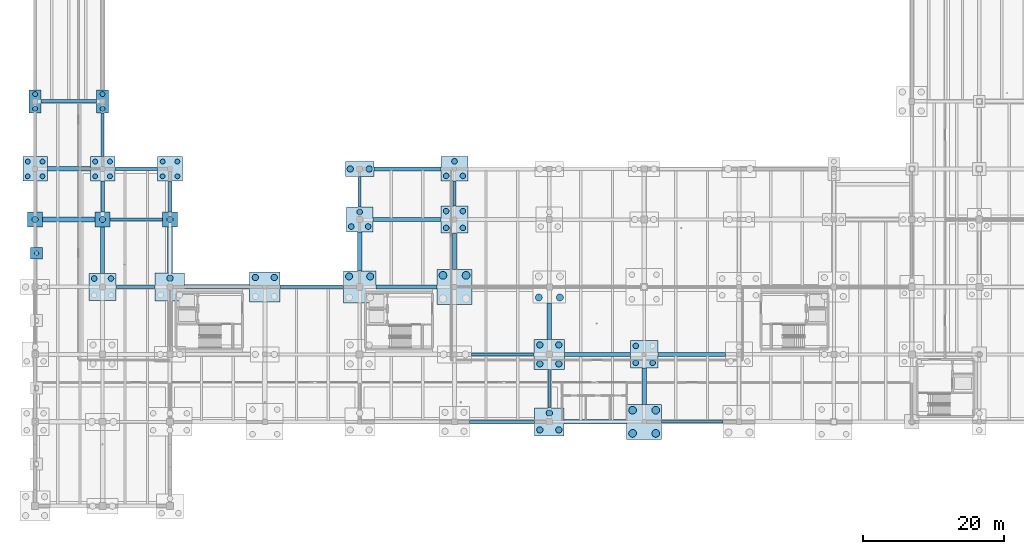
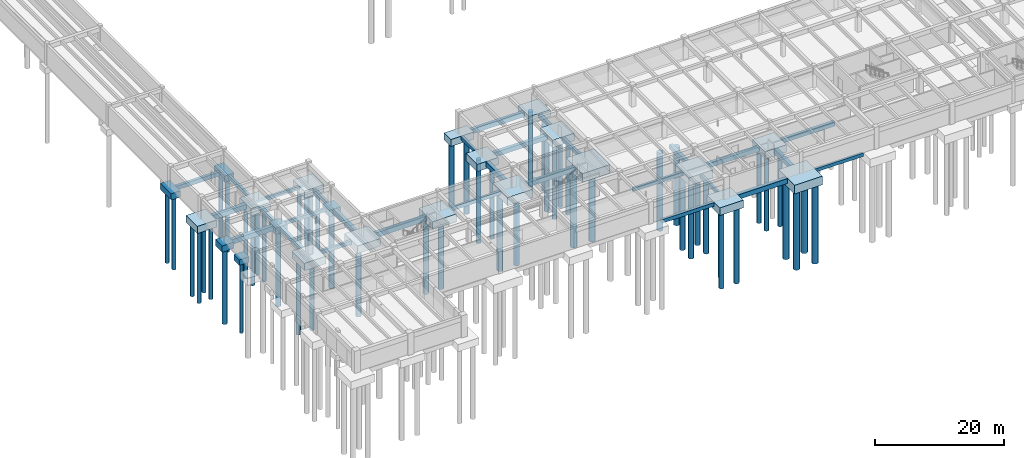
# One storey, part 2 of 41: 57 piles, 51 footings.
"""IFC4 building model written with IfcOpenShell, lengths in metres."""

from ifc_helpers import new_model, si_unit, direction, frame, origin, origin_2d, place, context, subcontext, project, spatial, rectangle, circle, extrude, material, material_profile, profile_set, type_object, element, save


model = new_model("IFC4")

# Units and contexts
model_context = context("Model", 3, precision=1e-05, world=origin(), true_north=direction((0.0, 1.0)))
body_context = subcontext(model_context, "Body", "Model", "MODEL_VIEW")
ifc_project = project(units=[si_unit("LENGTHUNIT", "METRE"), si_unit("AREAUNIT", "SQUARE_METRE"), si_unit("VOLUMEUNIT", "CUBIC_METRE"), si_unit("PLANEANGLEUNIT", "RADIAN"), si_unit("MASSUNIT", "GRAM", prefix="KILO")], contexts=[model_context])

# Site, building, storey
site_placement = place(None, origin())
site = spatial("IfcSite", under=ifc_project, at=site_placement, CompositionType="ELEMENT")
building_placement = place(site_placement, origin())
building = spatial("IfcBuilding", under=site, at=building_placement, Name="Fikremerkos Civic Library", CompositionType="ELEMENT")
storey_placement = place(building_placement, frame((0.0, 0.0, -8.39990234375)))
storey = spatial("IfcBuildingStorey", under=building, at=storey_placement, Name="B02", CompositionType="ELEMENT", Elevation=-8.39990234375)

# Piles
ifc_material_1 = material(Name="Concrete C35/45", Category="concrete")
ifc_material_profile_1 = material_profile(ifc_material_1, circle(Radius=0.5, at=origin_2d()), Name="BORED PILE 1000")
ifc_profile_set_1 = profile_set([ifc_material_profile_1], Name="Concrete C35/45")
pile_type_1 = type_object("IfcPileType", Name="Bored concrete pile PL-1000 D1000", PredefinedType="BORED", material=ifc_profile_set_1)
for number, where, z_axis, x_axis, name in (
    (1, (44.699951171875, 32.699951171875, -1.4501953125), (0.0, 0.0, -1.0), (1.0, 0.0, 0.0), "Bored pile PL-1000 under CAP-5-G #3"),
    (2, (47.699951171875, 32.699951171875, -1.4501953125), (0.0, 0.0, -1.0), (1.0, 0.0, 0.0), "Bored pile PL-1000 under CAP-5-G #4"),
    (3, (71.699951171875, 29.699951171875, -1.4501953125), (0.0, 0.0, -1.0), (1.0, 0.0, 0.0), "Bored pile PL-1000 under CAP-7-G #1"),
    (4, (74.699951171875, 29.699951171875, -1.4501953125), (0.0, 0.0, -1.0), (1.0, 0.0, 0.0), "Bored pile PL-1000 under CAP-7-G #2"),
):
    element("IfcPile", number, at=place(storey_placement, frame(where, z_axis=z_axis, x_axis=x_axis)), inside=storey, type_object=pile_type_1, Name=name, PredefinedType="BORED", context=body_context, shape_type="SweptSolid", body=[
        extrude(circle(Radius=0.5, at=origin_2d()), origin(), (0.0, 0.0, 1.0), 14.800048828125),
    ])
ifc_material_profile_2 = material_profile(ifc_material_1, circle(Radius=0.550048828125, at=origin_2d()), Name="BORED PILE 1100")
ifc_profile_set_2 = profile_set([ifc_material_profile_2], Name="Concrete C35/45")
pile_type_2 = type_object("IfcPileType", Name="Bored concrete pile PL-1100 D1100", PredefinedType="BORED", material=ifc_profile_set_2)
for number, where, z_axis, x_axis, name in (
    (5, (58.050048828125, 32.85009765625, -1.550048828125), (0.0, 0.0, -1.0), (1.0, 0.0, 0.0), "Bored pile PL-1100 under CAP-6-G #3"),
    (6, (61.35009765625, 32.85009765625, -1.550048828125), (0.0, 0.0, -1.0), (1.0, 0.0, 0.0), "Bored pile PL-1100 under CAP-6-G #4"),
    (7, (85.050048828125, 10.35009765625, -1.550048828125), (0.0, 0.0, -1.0), (1.0, 0.0, 0.0), "Bored pile PL-1100 under CAP-8-E #1"),
    (8, (88.35009765625, 10.35009765625, -1.550048828125), (0.0, 0.0, -1.0), (1.0, 0.0, 0.0), "Bored pile PL-1100 under CAP-8-E #2"),
    (9, (85.050048828125, 13.64990234375, -1.550048828125), (0.0, 0.0, -1.0), (1.0, 0.0, 0.0), "Bored pile PL-1100 under CAP-8-E #3"),
    (10, (88.35009765625, 13.64990234375, -1.550048828125), (0.0, 0.0, -1.0), (1.0, 0.0, 0.0), "Bored pile PL-1100 under CAP-8-E #4"),
):
    element("IfcPile", number, at=place(storey_placement, frame(where, z_axis=z_axis, x_axis=x_axis)), inside=storey, type_object=pile_type_2, Name=name, PredefinedType="BORED", context=body_context, shape_type="SweptSolid", body=[
        extrude(circle(Radius=0.550048828125, at=origin_2d()), origin(), (0.0, 0.0, 1.0), 15.0),
    ])
ifc_material_profile_3 = material_profile(ifc_material_1, circle(Radius=0.300048828125, at=origin_2d()), Name="BORED PILE 600")
ifc_profile_set_3 = profile_set([ifc_material_profile_3], Name="Concrete C35/45")
pile_type_3 = type_object("IfcPileType", Name="Bored concrete pile PL-600 D600", PredefinedType="BORED", material=ifc_profile_set_3)
pile_placement = place(storey_placement, frame((0.219970703125, 36.0, -0.9501953125), z_axis=(0.0, 0.0, -1.0), x_axis=(1.0, 0.0, 0.0)))
element("IfcPile", 11, at=pile_placement, inside=storey, type_object=pile_type_3, Name="Bored pile PL-600 under CAP-PIL-W4", PredefinedType="BORED", context=body_context, shape_type="SweptSolid", body=[
    extrude(circle(Radius=0.300048828125, at=origin_2d()), origin(), (0.0, 0.0, 1.0), 13.60009765625),
])
ifc_material_profile_4 = material_profile(ifc_material_1, circle(Radius=0.35009765625, at=origin_2d()), Name="BORED PILE 700")
ifc_profile_set_4 = profile_set([ifc_material_profile_4], Name="Concrete C35/45")
pile_type_4 = type_object("IfcPileType", Name="Bored concrete pile PL-700 D700", PredefinedType="BORED", material=ifc_profile_set_4)
for number, where, z_axis, x_axis, name in (
    (12, (-1.050048828125, 46.949951171875, -1.25), (0.0, 0.0, -1.0), (1.0, 0.0, 0.0), "Bored pile PL-700 under CAP-1-J #1"),
    (13, (1.050048828125, 46.949951171875, -1.25), (0.0, 0.0, -1.0), (1.0, 0.0, 0.0), "Bored pile PL-700 under CAP-1-J #2"),
    (14, (-1.050048828125, 49.050048828125, -1.25), (0.0, 0.0, -1.0), (1.0, 0.0, 0.0), "Bored pile PL-700 under CAP-1-J #3"),
    (15, (1.050048828125, 49.050048828125, -1.25), (0.0, 0.0, -1.0), (1.0, 0.0, 0.0), "Bored pile PL-700 under CAP-1-J #4"),
    (16, (0.0, 56.550048828125, -1.10009765625), (0.0, 0.0, -1.0), (1.0, 0.0, 0.0), "Bored pile PL-700 under CAP-1-K #1"),
    (17, (0.0, 58.64990234375, -1.10009765625), (0.0, 0.0, -1.0), (1.0, 0.0, 0.0), "Bored pile PL-700 under CAP-1-K #2"),
    (18, (8.550048828125, 46.949951171875, -1.25), (0.0, 0.0, -1.0), (1.0, 0.0, 0.0), "Bored pile PL-700 under CAP-2-J #1"),
    (19, (10.64990234375, 46.949951171875, -1.25), (0.0, 0.0, -1.0), (1.0, 0.0, 0.0), "Bored pile PL-700 under CAP-2-J #2"),
    (20, (8.550048828125, 49.050048828125, -1.25), (0.0, 0.0, -1.0), (1.0, 0.0, 0.0), "Bored pile PL-700 under CAP-2-J #3"),
    (21, (10.64990234375, 49.050048828125, -1.25), (0.0, 0.0, -1.0), (1.0, 0.0, 0.0), "Bored pile PL-700 under CAP-2-J #4"),
    (22, (9.60009765625, 56.550048828125, -1.10009765625), (0.0, 0.0, -1.0), (1.0, 0.0, 0.0), "Bored pile PL-700 under CAP-2-K #1"),
    (23, (9.60009765625, 58.64990234375, -1.10009765625), (0.0, 0.0, -1.0), (1.0, 0.0, 0.0), "Bored pile PL-700 under CAP-2-K #2"),
    (24, (18.14990234375, 46.949951171875, -1.25), (0.0, 0.0, -1.0), (1.0, 0.0, 0.0), "Bored pile PL-700 under CAP-3-J #1"),
    (25, (20.25, 46.949951171875, -1.25), (0.0, 0.0, -1.0), (1.0, 0.0, 0.0), "Bored pile PL-700 under CAP-3-J #2"),
    (26, (18.14990234375, 49.050048828125, -1.25), (0.0, 0.0, -1.0), (1.0, 0.0, 0.0), "Bored pile PL-700 under CAP-3-J #3"),
    (27, (20.25, 49.050048828125, -1.25), (0.0, 0.0, -1.0), (1.0, 0.0, 0.0), "Bored pile PL-700 under CAP-3-J #4"),
):
    element("IfcPile", number, at=place(storey_placement, frame(where, z_axis=z_axis, x_axis=x_axis)), inside=storey, type_object=pile_type_4, Name=name, PredefinedType="BORED", context=body_context, shape_type="SweptSolid", body=[
        extrude(circle(Radius=0.35009765625, at=origin_2d()), origin(), (0.0, 0.0, 1.0), 13.800048828125),
    ])
ifc_material_profile_5 = material_profile(ifc_material_1, circle(Radius=0.39990234375, at=origin_2d()), Name="BORED PILE 800")
ifc_profile_set_5 = profile_set([ifc_material_profile_5], Name="Concrete C35/45")
pile_type_5 = type_object("IfcPileType", Name="Bored concrete pile PL-800 D800", PredefinedType="BORED", material=ifc_profile_set_5)
for number, where, z_axis, x_axis, name in (
    (28, (8.39990234375, 32.39990234375, -1.300048828125), (0.0, 0.0, -1.0), (1.0, 0.0, 0.0), "Bored pile PL-800 under CAP-2-G #3"),
    (29, (10.800048828125, 32.39990234375, -1.300048828125), (0.0, 0.0, -1.0), (1.0, 0.0, 0.0), "Bored pile PL-800 under CAP-2-G #4"),
    (30, (45.0, 39.800048828125, -1.25), (0.0, 0.0, -1.0), (1.0, 0.0, 0.0), "Bored pile PL-800 under CAP-5-H #1"),
    (31, (47.39990234375, 39.800048828125, -1.25), (0.0, 0.0, -1.0), (1.0, 0.0, 0.0), "Bored pile PL-800 under CAP-5-H #2"),
    (32, (46.199951171875, 41.8798828125, -1.25), (0.0, 0.0, -1.0), (1.0, 0.0, 0.0), "Bored pile PL-800 under CAP-5-H #3"),
    (33, (58.5, 39.60009765625, -1.300048828125), (0.0, 0.0, -1.0), (1.0, 0.0, 0.0), "Bored pile PL-800 under CAP-6-H #1"),
    (34, (60.89990234375, 39.60009765625, -1.300048828125), (0.0, 0.0, -1.0), (1.0, 0.0, 0.0), "Bored pile PL-800 under CAP-6-H #2"),
    (35, (58.5, 42.0, -1.300048828125), (0.0, 0.0, -1.0), (1.0, 0.0, 0.0), "Bored pile PL-800 under CAP-6-H #3"),
    (36, (60.89990234375, 42.0, -1.300048828125), (0.0, 0.0, -1.0), (1.0, 0.0, 0.0), "Bored pile PL-800 under CAP-6-H #4"),
    (37, (58.5, 47.0, -1.25), (0.0, 0.0, -1.0), (1.0, 0.0, 0.0), "Bored pile PL-800 under CAP-6-J #1"),
    (38, (60.89990234375, 47.0, -1.25), (0.0, 0.0, -1.0), (1.0, 0.0, 0.0), "Bored pile PL-800 under CAP-6-J #2"),
    (39, (59.699951171875, 49.080078125, -1.25), (0.0, 0.0, -1.0), (1.0, 0.0, 0.0), "Bored pile PL-800 under CAP-6-J #3"),
    (40, (85.5, 20.39990234375, -1.300048828125), (0.0, 0.0, -1.0), (1.0, 0.0, 0.0), "Bored pile PL-800 under CAP-8-F #1"),
    (41, (87.89990234375, 20.39990234375, -1.300048828125), (0.0, 0.0, -1.0), (1.0, 0.0, 0.0), "Bored pile PL-800 under CAP-8-F #2"),
    (42, (85.5, 22.800048828125, -1.300048828125), (0.0, 0.0, -1.0), (1.0, 0.0, 0.0), "Bored pile PL-800 under CAP-8-F #3"),
):
    element("IfcPile", number, at=place(storey_placement, frame(where, z_axis=z_axis, x_axis=x_axis)), inside=storey, type_object=pile_type_5, Name=name, PredefinedType="BORED", context=body_context, shape_type="SweptSolid", body=[
        extrude(circle(Radius=0.39990234375, at=origin_2d()), origin(), (0.0, 0.0, 1.0), 14.199951171875),
    ])
ifc_material_profile_6 = material_profile(ifc_material_1, circle(Radius=0.449951171875, at=origin_2d()), Name="BORED PILE 900")
ifc_profile_set_6 = profile_set([ifc_material_profile_6], Name="Concrete C35/45")
pile_type_6 = type_object("IfcPileType", Name="Bored concrete pile PL-900 D900", PredefinedType="BORED", material=ifc_profile_set_6)
for number, where, z_axis, x_axis, name in (
    (43, (0.0, 40.800048828125, -1.10009765625), (0.0, 0.0, -1.0), (1.0, 0.0, 0.0), "Bored pile PL-900 under CAP-1-H #1"),
    (44, (9.60009765625, 40.800048828125, -1.10009765625), (0.0, 0.0, -1.0), (1.0, 0.0, 0.0), "Bored pile PL-900 under CAP-2-H #1"),
    (45, (19.199951171875, 32.449951171875, -1.35009765625), (0.0, 0.0, -1.0), (1.0, 0.0, 0.0), "Bored pile PL-900 under CAP-3-G #3"),
    (46, (19.199951171875, 40.800048828125, -1.10009765625), (0.0, 0.0, -1.0), (1.0, 0.0, 0.0), "Bored pile PL-900 under CAP-3-H #1"),
    (47, (31.35009765625, 32.550048828125, -1.400146484375), (0.0, 0.0, -1.0), (1.0, 0.0, 0.0), "Bored pile PL-900 under CAP-4-G #3"),
    (48, (34.050048828125, 32.550048828125, -1.400146484375), (0.0, 0.0, -1.0), (1.0, 0.0, 0.0), "Bored pile PL-900 under CAP-4-G #4"),
    (49, (44.85009765625, 48.0, -1.25), (0.0, 0.0, -1.0), (1.0, 0.0, 0.0), "Bored pile PL-900 under CAP-5-J #1"),
    (50, (47.550048828125, 48.0, -1.25), (0.0, 0.0, -1.0), (1.0, 0.0, 0.0), "Bored pile PL-900 under CAP-5-J #2"),
    (51, (71.85009765625, 10.85009765625, -1.35009765625), (0.0, 0.0, -1.0), (1.0, 0.0, 0.0), "Bored pile PL-900 under CAP-7-E #1"),
    (52, (74.550048828125, 10.85009765625, -1.35009765625), (0.0, 0.0, -1.0), (1.0, 0.0, 0.0), "Bored pile PL-900 under CAP-7-E #2"),
    (53, (73.199951171875, 13.25, -1.35009765625), (0.0, 0.0, -1.0), (1.0, 0.0, 0.0), "Bored pile PL-900 under CAP-7-E #3"),
    (54, (71.85009765625, 20.25, -1.400146484375), (0.0, 0.0, -1.0), (1.0, 0.0, 0.0), "Bored pile PL-900 under CAP-7-F #1"),
    (55, (74.550048828125, 20.25, -1.400146484375), (0.0, 0.0, -1.0), (1.0, 0.0, 0.0), "Bored pile PL-900 under CAP-7-F #2"),
    (56, (71.85009765625, 22.949951171875, -1.400146484375), (0.0, 0.0, -1.0), (1.0, 0.0, 0.0), "Bored pile PL-900 under CAP-7-F #3"),
    (57, (74.550048828125, 22.949951171875, -1.400146484375), (0.0, 0.0, -1.0), (1.0, 0.0, 0.0), "Bored pile PL-900 under CAP-7-F #4"),
):
    element("IfcPile", number, at=place(storey_placement, frame(where, z_axis=z_axis, x_axis=x_axis)), inside=storey, type_object=pile_type_6, Name=name, PredefinedType="BORED", context=body_context, shape_type="SweptSolid", body=[
        extrude(circle(Radius=0.449951171875, at=origin_2d()), origin(), (0.0, 0.0, 1.0), 14.5),
    ])

# Footings
ifc_material_2 = material(Name="Concrete C40/50", Category="concrete")
footing_type_1 = type_object("IfcFootingType", Name="Bored pile cap PC-04 1700x3300x1200", PredefinedType="PILE_CAP", material=ifc_material_2)
for number, where, z_axis, x_axis, name in (
    (58, (0.0, 57.60009765625, -1.2001953125), (0.0, 0.0, 1.0), (1.0, 0.0, 0.0), "Pile cap PC-04 at 1/K"),
    (59, (9.60009765625, 57.60009765625, -1.2001953125), (0.0, 0.0, 1.0), (1.0, 0.0, 0.0), "Pile cap PC-04 at 2/K"),
):
    element("IfcFooting", number, at=place(storey_placement, frame(where, z_axis=z_axis, x_axis=x_axis)), inside=storey, type_object=footing_type_1, Name=name, PredefinedType="PILE_CAP", context=body_context, shape_type="SweptSolid", body=[
        extrude(rectangle(XDim=1.699951171875, YDim=3.300048828125, at=origin_2d()), origin(), (0.0, 0.0, 1.0), 1.199951171875),
    ])
footing_type_2 = type_object("IfcFootingType", Name="Bored pile cap PC-07 4100x2100x1350", PredefinedType="PILE_CAP", material=ifc_material_2)
footing_1_placement = place(storey_placement, frame((46.199951171875, 48.0, -1.35009765625), z_axis=(0.0, 0.0, 1.0), x_axis=(1.0, 0.0, 0.0)))
element("IfcFooting", 60, at=footing_1_placement, inside=storey, type_object=footing_type_2, Name="Pile cap PC-07 at 5/J", PredefinedType="PILE_CAP", context=body_context, shape_type="SweptSolid", body=[
    extrude(rectangle(XDim=4.10009765625, YDim=2.10009765625, at=origin_2d()), origin(), (0.0, 0.0, 1.0), 1.35009765625),
])
footing_type_3 = type_object("IfcFootingType", Name="Bored pile cap PC-09 3800x3500x1350", PredefinedType="PILE_CAP", material=ifc_material_2)
for number, where, z_axis, x_axis, name in (
    (61, (46.199951171875, 40.800048828125, -1.35009765625), (0.0, 0.0, 1.0), (1.0, 0.0, 0.0), "Pile cap PC-09 at 5/H"),
    (62, (59.699951171875, 48.0, -1.35009765625), (0.0, 0.0, 1.0), (1.0, 0.0, 0.0), "Pile cap PC-09 at 6/J"),
):
    element("IfcFooting", number, at=place(storey_placement, frame(where, z_axis=z_axis, x_axis=x_axis)), inside=storey, type_object=footing_type_3, Name=name, PredefinedType="PILE_CAP", context=body_context, shape_type="SweptSolid", body=[
        extrude(rectangle(XDim=3.800048828125, YDim=3.5, at=origin_2d()), origin(), (0.0, 0.0, 1.0), 1.35009765625),
    ])
footing_type_4 = type_object("IfcFootingType", Name="Bored pile cap PC-10 3500x3500x1350", PredefinedType="PILE_CAP", material=ifc_material_2)
for number, where, z_axis, x_axis, name in (
    (63, (0.0, 48.0, -1.35009765625), (0.0, 0.0, 1.0), (1.0, 0.0, 0.0), "Pile cap PC-10 at 1/J"),
    (64, (9.60009765625, 48.0, -1.35009765625), (0.0, 0.0, 1.0), (1.0, 0.0, 0.0), "Pile cap PC-10 at 2/J"),
    (65, (19.199951171875, 48.0, -1.35009765625), (0.0, 0.0, 1.0), (1.0, 0.0, 0.0), "Pile cap PC-10 at 3/J"),
):
    element("IfcFooting", number, at=place(storey_placement, frame(where, z_axis=z_axis, x_axis=x_axis)), inside=storey, type_object=footing_type_4, Name=name, PredefinedType="PILE_CAP", context=body_context, shape_type="SweptSolid", body=[
        extrude(rectangle(XDim=3.5, YDim=3.5, at=origin_2d()), origin(), (0.0, 0.0, 1.0), 1.35009765625),
    ])
footing_type_5 = type_object("IfcFootingType", Name="Bored pile cap PC-11 3900x3900x1400", PredefinedType="PILE_CAP", material=ifc_material_2)
for number, where, z_axis, x_axis, name in (
    (66, (9.60009765625, 31.199951171875, -1.400146484375), (0.0, 0.0, 1.0), (1.0, 0.0, 0.0), "Pile cap PC-11 at 2/G"),
    (67, (59.699951171875, 40.800048828125, -1.400146484375), (0.0, 0.0, 1.0), (1.0, 0.0, 0.0), "Pile cap PC-11 at 6/H"),
    (68, (86.699951171875, 21.60009765625, -1.400146484375), (0.0, 0.0, 1.0), (1.0, 0.0, 0.0), "Pile cap PC-11 at 8/F"),
):
    element("IfcFooting", number, at=place(storey_placement, frame(where, z_axis=z_axis, x_axis=x_axis)), inside=storey, type_object=footing_type_5, Name=name, PredefinedType="PILE_CAP", context=body_context, shape_type="SweptSolid", body=[
        extrude(rectangle(XDim=3.89990234375, YDim=3.89990234375, at=origin_2d()), origin(), (0.0, 0.0, 1.0), 1.39990234375),
    ])
footing_type_6 = type_object("IfcFootingType", Name="Bored pile cap PC-12 4300x4300x1500", PredefinedType="PILE_CAP", material=ifc_material_2)
for number, where, z_axis, x_axis, name in (
    (69, (32.699951171875, 31.199951171875, -1.5), (0.0, 0.0, 1.0), (1.0, 0.0, 0.0), "Pile cap PC-12 at 4/G"),
    (70, (73.199951171875, 21.60009765625, -1.5), (0.0, 0.0, 1.0), (1.0, 0.0, 0.0), "Pile cap PC-12 at 7/F"),
):
    element("IfcFooting", number, at=place(storey_placement, frame(where, z_axis=z_axis, x_axis=x_axis)), inside=storey, type_object=footing_type_6, Name=name, PredefinedType="PILE_CAP", context=body_context, shape_type="SweptSolid", body=[
        extrude(rectangle(XDim=4.300048828125, YDim=4.300048828125, at=origin_2d()), origin(), (0.0, 0.0, 1.0), 1.5),
    ])
footing_type_7 = type_object("IfcFootingType", Name="Bored pile cap PC-13 4600x4600x1550", PredefinedType="PILE_CAP", material=ifc_material_2)
footing_2_placement = place(storey_placement, frame((46.199951171875, 31.199951171875, -1.55029296875), z_axis=(0.0, 0.0, 1.0), x_axis=(1.0, 0.0, 0.0)))
element("IfcFooting", 71, at=footing_2_placement, inside=storey, type_object=footing_type_7, Name="Pile cap PC-13 at 5/G", PredefinedType="PILE_CAP", context=body_context, shape_type="SweptSolid", body=[
    extrude(rectangle(XDim=4.60009765625, YDim=4.60009765625, at=origin_2d()), origin(), (0.0, 0.0, 1.0), 1.550048828125),
])
footing_type_8 = type_object("IfcFootingType", Name="Bored pile cap PC-14 5000x5000x1650", PredefinedType="PILE_CAP", material=ifc_material_2)
for number, where, z_axis, x_axis, name in (
    (72, (59.699951171875, 31.199951171875, -1.650146484375), (0.0, 0.0, 1.0), (1.0, 0.0, 0.0), "Pile cap PC-14 at 6/G"),
    (73, (86.699951171875, 12.0, -1.650146484375), (0.0, 0.0, 1.0), (1.0, 0.0, 0.0), "Pile cap PC-14 at 8/E"),
):
    element("IfcFooting", number, at=place(storey_placement, frame(where, z_axis=z_axis, x_axis=x_axis)), inside=storey, type_object=footing_type_8, Name=name, PredefinedType="PILE_CAP", context=body_context, shape_type="SweptSolid", body=[
        extrude(rectangle(XDim=5.0, YDim=5.0, at=origin_2d()), origin(), (0.0, 0.0, 1.0), 1.64990234375),
    ])
footing_type_9 = type_object("IfcFootingType", Name="Bored pile cap PC-17 2100x2100x1200", PredefinedType="PILE_CAP", material=ifc_material_2)
for number, where, z_axis, x_axis, name in (
    (74, (0.0, 40.800048828125, -1.2001953125), (0.0, 0.0, 1.0), (1.0, 0.0, 0.0), "Pile cap PC-17 at 1/H"),
    (75, (9.60009765625, 40.800048828125, -1.2001953125), (0.0, 0.0, 1.0), (1.0, 0.0, 0.0), "Pile cap PC-17 at 2/H"),
    (76, (19.199951171875, 40.800048828125, -1.2001953125), (0.0, 0.0, 1.0), (1.0, 0.0, 0.0), "Pile cap PC-17 at 3/H"),
):
    element("IfcFooting", number, at=place(storey_placement, frame(where, z_axis=z_axis, x_axis=x_axis)), inside=storey, type_object=footing_type_9, Name=name, PredefinedType="PILE_CAP", context=body_context, shape_type="SweptSolid", body=[
        extrude(rectangle(XDim=2.10009765625, YDim=2.10009765625, at=origin_2d()), origin(), (0.0, 0.0, 1.0), 1.199951171875),
    ])
footing_type_10 = type_object("IfcFootingType", Name="Bored pile cap PC-20 4200x4000x1450", PredefinedType="PILE_CAP", material=ifc_material_2)
for number, where, z_axis, x_axis, name in (
    (77, (19.199951171875, 31.199951171875, -1.4501953125), (0.0, 0.0, 1.0), (1.0, 0.0, 0.0), "Pile cap PC-20 at 3/G"),
    (78, (73.199951171875, 12.0, -1.4501953125), (0.0, 0.0, 1.0), (1.0, 0.0, 0.0), "Pile cap PC-20 at 7/E"),
):
    element("IfcFooting", number, at=place(storey_placement, frame(where, z_axis=z_axis, x_axis=x_axis)), inside=storey, type_object=footing_type_10, Name=name, PredefinedType="PILE_CAP", context=body_context, shape_type="SweptSolid", body=[
        extrude(rectangle(XDim=4.199951171875, YDim=4.0, at=origin_2d()), origin(), (0.0, 0.0, 1.0), 1.449951171875),
    ])
footing_type_11 = type_object("IfcFootingType", Name="Bored pile cap PC-21 1700x1700x1050", PredefinedType="PILE_CAP", material=ifc_material_2)
footing_3_placement = place(storey_placement, frame((0.219970703125, 36.0, -1.05029296875), z_axis=(0.0, 0.0, 1.0), x_axis=(1.0, 0.0, 0.0)))
element("IfcFooting", 79, at=footing_3_placement, inside=storey, type_object=footing_type_11, Name="Pilaster pile cap PC-21 at W4", PredefinedType="PILE_CAP", context=body_context, shape_type="SweptSolid", body=[
    extrude(rectangle(XDim=1.699951171875, YDim=1.699951171875, at=origin_2d()), origin(), (0.0, 0.0, 1.0), 1.050048828125),
])
footing_type_12 = type_object("IfcFootingType", Name="Foundation tie beam FTB-01 600x850", PredefinedType="FOOTING_BEAM", material=ifc_material_2)
footing_4_placement = place(storey_placement, frame((80.050048828125, 21.60009765625, -0.900146484375), z_axis=(0.0, 0.0, 1.0), x_axis=(1.0, 0.0, 0.0)))
element("IfcFooting", 80, at=footing_4_placement, inside=storey, type_object=footing_type_12, Name="Foundation tie beam FTB-01 on grid F", PredefinedType="FOOTING_BEAM", context=body_context, shape_type="SweptSolid", body=[
    extrude(rectangle(XDim=9.39990234375, YDim=0.60009765625, at=origin_2d()), origin(), (0.0, 0.0, 1.0), 0.85009765625),
])
footing_5_placement = place(storey_placement, frame((52.85009765625, 31.199951171875, -0.900146484375), z_axis=(0.0, 0.0, 1.0), x_axis=(1.0, 0.0, 0.0)))
element("IfcFooting", 81, at=footing_5_placement, inside=storey, type_object=footing_type_12, Name="Foundation tie beam FTB-01 on grid G", PredefinedType="FOOTING_BEAM", context=body_context, shape_type="SweptSolid", body=[
    extrude(rectangle(XDim=8.699951171875, YDim=0.60009765625, at=origin_2d()), origin(), (0.0, 0.0, 1.0), 0.85009765625),
])
footing_6_placement = place(storey_placement, frame((52.925048828125, 40.800048828125, -0.900146484375), z_axis=(0.0, 0.0, 1.0), x_axis=(1.0, 0.0, 0.0)))
element("IfcFooting", 82, at=footing_6_placement, inside=storey, type_object=footing_type_12, Name="Foundation tie beam FTB-01 on grid H", PredefinedType="FOOTING_BEAM", context=body_context, shape_type="SweptSolid", body=[
    extrude(rectangle(XDim=9.64990234375, YDim=0.60009765625, at=origin_2d()), origin(), (0.0, 0.0, 1.0), 0.85009765625),
])
footing_7_placement = place(storey_placement, frame((53.02490234375, 48.0, -0.900146484375), z_axis=(0.0, 0.0, 1.0), x_axis=(1.0, 0.0, 0.0)))
element("IfcFooting", 83, at=footing_7_placement, inside=storey, type_object=footing_type_12, Name="Foundation tie beam FTB-01 on grid J", PredefinedType="FOOTING_BEAM", context=body_context, shape_type="SweptSolid", body=[
    extrude(rectangle(XDim=9.550048828125, YDim=0.60009765625, at=origin_2d()), origin(), (0.0, 0.0, 1.0), 0.85009765625),
])
footing_8_placement = place(storey_placement, frame((73.199951171875, 26.324951171875, -0.900146484375), z_axis=(0.0, 0.0, 1.0), x_axis=(0.0, 1.0, 0.0)))
element("IfcFooting", 84, at=footing_8_placement, inside=storey, type_object=footing_type_12, Name="Foundation tie beam FTB-01 on grid 7", PredefinedType="FOOTING_BEAM", context=body_context, shape_type="SweptSolid", body=[
    extrude(rectangle(XDim=5.14990234375, YDim=0.60009765625, at=origin_2d()), origin(), (0.0, 0.0, 1.0), 0.85009765625),
])
footing_type_13 = type_object("IfcFootingType", Name="Foundation tie beam FTB-02 550x800", PredefinedType="FOOTING_BEAM", material=ifc_material_2)
footing_9_placement = place(storey_placement, frame((93.47509765625, 21.60009765625, -0.85009765625), z_axis=(0.0, 0.0, 1.0), x_axis=(1.0, 0.0, 0.0)))
element("IfcFooting", 85, at=footing_9_placement, inside=storey, type_object=footing_type_13, Name="Foundation tie beam FTB-02 on grid F", PredefinedType="FOOTING_BEAM", context=body_context, shape_type="SweptSolid", body=[
    extrude(rectangle(XDim=9.64990234375, YDim=0.550048828125, at=origin_2d()), origin(), (0.0, 0.0, 1.0), 0.800048828125),
])
footing_10_placement = place(storey_placement, frame((9.60009765625, 36.449951171875, -0.85009765625), z_axis=(0.0, 0.0, 1.0), x_axis=(0.0, 1.0, 0.0)))
element("IfcFooting", 86, at=footing_10_placement, inside=storey, type_object=footing_type_13, Name="Foundation tie beam FTB-02 on grid 2", PredefinedType="FOOTING_BEAM", context=body_context, shape_type="SweptSolid", body=[
    extrude(rectangle(XDim=6.60009765625, YDim=0.550048828125, at=origin_2d()), origin(), (0.0, 0.0, 1.0), 0.800048828125),
])
footing_type_14 = type_object("IfcFootingType", Name="Foundation tie beam FTB-03 500x750", PredefinedType="FOOTING_BEAM", material=ifc_material_2)
footing_11_placement = place(storey_placement, frame((4.800048828125, 57.60009765625, -0.800048828125), z_axis=(0.0, 0.0, 1.0), x_axis=(1.0, 0.0, 0.0)))
element("IfcFooting", 87, at=footing_11_placement, inside=storey, type_object=footing_type_14, Name="Foundation tie beam FTB-03 on grid K", PredefinedType="FOOTING_BEAM", context=body_context, shape_type="SweptSolid", body=[
    extrude(rectangle(XDim=7.89990234375, YDim=0.5, at=origin_2d()), origin(), (0.0, 0.0, 1.0), 0.75),
])
footing_12_placement = place(storey_placement, frame((9.60009765625, 44.050048828125, -0.800048828125), z_axis=(0.0, 0.0, 1.0), x_axis=(0.0, 1.0, 0.0)))
element("IfcFooting", 88, at=footing_12_placement, inside=storey, type_object=footing_type_14, Name="Foundation tie beam FTB-03 on grid 2", PredefinedType="FOOTING_BEAM", context=body_context, shape_type="SweptSolid", body=[
    extrude(rectangle(XDim=4.39990234375, YDim=0.5, at=origin_2d()), origin(), (0.0, 0.0, 1.0), 0.75),
])
footing_13_placement = place(storey_placement, frame((59.699951171875, 36.27490234375, -0.800048828125), z_axis=(0.0, 0.0, 1.0), x_axis=(0.0, 1.0, 0.0)))
element("IfcFooting", 89, at=footing_13_placement, inside=storey, type_object=footing_type_14, Name="Foundation tie beam FTB-03 on grid 6", PredefinedType="FOOTING_BEAM", context=body_context, shape_type="SweptSolid", body=[
    extrude(rectangle(XDim=5.14990234375, YDim=0.5, at=origin_2d()), origin(), (0.0, 0.0, 1.0), 0.75),
])
footing_type_15 = type_object("IfcFootingType", Name="Foundation tie beam FTB-04 450x700", PredefinedType="FOOTING_BEAM", material=ifc_material_2)
footing_14_placement = place(storey_placement, frame((66.47509765625, 12.0, -0.75), z_axis=(0.0, 0.0, 1.0), x_axis=(1.0, 0.0, 0.0)))
element("IfcFooting", 90, at=footing_14_placement, inside=storey, type_object=footing_type_15, Name="Foundation tie beam FTB-04 on grid E", PredefinedType="FOOTING_BEAM", context=body_context, shape_type="SweptSolid", body=[
    extrude(rectangle(XDim=9.25, YDim=0.449951171875, at=origin_2d()), origin(), (0.0, 0.0, 1.0), 0.699951171875),
])
footing_15_placement = place(storey_placement, frame((14.324951171875, 31.199951171875, -0.75), z_axis=(0.0, 0.0, 1.0), x_axis=(1.0, 0.0, 0.0)))
element("IfcFooting", 91, at=footing_15_placement, inside=storey, type_object=footing_type_15, Name="Foundation tie beam FTB-04 on grid G", PredefinedType="FOOTING_BEAM", context=body_context, shape_type="SweptSolid", body=[
    extrude(rectangle(XDim=5.550048828125, YDim=0.449951171875, at=origin_2d()), origin(), (0.0, 0.0, 1.0), 0.699951171875),
])
footing_16_placement = place(storey_placement, frame((9.60009765625, 52.85009765625, -0.75), z_axis=(0.0, 0.0, 1.0), x_axis=(0.0, 1.0, 0.0)))
element("IfcFooting", 92, at=footing_16_placement, inside=storey, type_object=footing_type_15, Name="Foundation tie beam FTB-04 on grid 2", PredefinedType="FOOTING_BEAM", context=body_context, shape_type="SweptSolid", body=[
    extrude(rectangle(XDim=6.199951171875, YDim=0.449951171875, at=origin_2d()), origin(), (0.0, 0.0, 1.0), 0.699951171875),
])
footing_17_placement = place(storey_placement, frame((59.699951171875, 44.5, -0.75), z_axis=(0.0, 0.0, 1.0), x_axis=(0.0, 1.0, 0.0)))
element("IfcFooting", 93, at=footing_17_placement, inside=storey, type_object=footing_type_15, Name="Foundation tie beam FTB-04 on grid 6", PredefinedType="FOOTING_BEAM", context=body_context, shape_type="SweptSolid", body=[
    extrude(rectangle(XDim=3.5, YDim=0.449951171875, at=origin_2d()), origin(), (0.0, 0.0, 1.0), 0.699951171875),
])
footing_type_16 = type_object("IfcFootingType", Name="Foundation tie beam FTB-05 650x900", PredefinedType="FOOTING_BEAM", material=ifc_material_2)
footing_18_placement = place(storey_placement, frame((79.75, 12.0, -0.949951171875), z_axis=(0.0, 0.0, 1.0), x_axis=(1.0, 0.0, 0.0)))
element("IfcFooting", 94, at=footing_18_placement, inside=storey, type_object=footing_type_16, Name="Foundation tie beam FTB-05 on grid E", PredefinedType="FOOTING_BEAM", context=body_context, shape_type="SweptSolid", body=[
    extrude(rectangle(XDim=8.89990234375, YDim=0.64990234375, at=origin_2d()), origin(), (0.0, 0.0, 1.0), 0.89990234375),
])
footing_19_placement = place(storey_placement, frame((25.925048828125, 31.199951171875, -0.949951171875), z_axis=(0.0, 0.0, 1.0), x_axis=(1.0, 0.0, 0.0)))
element("IfcFooting", 95, at=footing_19_placement, inside=storey, type_object=footing_type_16, Name="Foundation tie beam FTB-05 on grid G", PredefinedType="FOOTING_BEAM", context=body_context, shape_type="SweptSolid", body=[
    extrude(rectangle(XDim=9.25, YDim=0.64990234375, at=origin_2d()), origin(), (0.0, 0.0, 1.0), 0.89990234375),
])
footing_20_placement = place(storey_placement, frame((4.800048828125, 40.800048828125, -0.949951171875), z_axis=(0.0, 0.0, 1.0), x_axis=(1.0, 0.0, 0.0)))
element("IfcFooting", 96, at=footing_20_placement, inside=storey, type_object=footing_type_16, Name="Foundation tie beam FTB-05 on grid H", PredefinedType="FOOTING_BEAM", context=body_context, shape_type="SweptSolid", body=[
    extrude(rectangle(XDim=7.5, YDim=0.64990234375, at=origin_2d()), origin(), (0.0, 0.0, 1.0), 0.89990234375),
])
footing_21_placement = place(storey_placement, frame((4.800048828125, 48.0, -0.949951171875), z_axis=(0.0, 0.0, 1.0), x_axis=(1.0, 0.0, 0.0)))
element("IfcFooting", 97, at=footing_21_placement, inside=storey, type_object=footing_type_16, Name="Foundation tie beam FTB-05 on grid J", PredefinedType="FOOTING_BEAM", context=body_context, shape_type="SweptSolid", body=[
    extrude(rectangle(XDim=6.10009765625, YDim=0.64990234375, at=origin_2d()), origin(), (0.0, 0.0, 1.0), 0.89990234375),
])
footing_22_placement = place(storey_placement, frame((19.199951171875, 36.47509765625, -0.949951171875), z_axis=(0.0, 0.0, 1.0), x_axis=(0.0, 1.0, 0.0)))
element("IfcFooting", 98, at=footing_22_placement, inside=storey, type_object=footing_type_16, Name="Foundation tie beam FTB-05 on grid 3", PredefinedType="FOOTING_BEAM", context=body_context, shape_type="SweptSolid", body=[
    extrude(rectangle(XDim=6.550048828125, YDim=0.64990234375, at=origin_2d()), origin(), (0.0, 0.0, 1.0), 0.89990234375),
])
footing_23_placement = place(storey_placement, frame((46.199951171875, 36.27490234375, -0.949951171875), z_axis=(0.0, 0.0, 1.0), x_axis=(0.0, 1.0, 0.0)))
element("IfcFooting", 99, at=footing_23_placement, inside=storey, type_object=footing_type_16, Name="Foundation tie beam FTB-05 on grid 5", PredefinedType="FOOTING_BEAM", context=body_context, shape_type="SweptSolid", body=[
    extrude(rectangle(XDim=5.550048828125, YDim=0.64990234375, at=origin_2d()), origin(), (0.0, 0.0, 1.0), 0.89990234375),
])
footing_24_placement = place(storey_placement, frame((86.699951171875, 17.074951171875, -0.949951171875), z_axis=(0.0, 0.0, 1.0), x_axis=(0.0, 1.0, 0.0)))
element("IfcFooting", 100, at=footing_24_placement, inside=storey, type_object=footing_type_16, Name="Foundation tie beam FTB-05 on grid 8", PredefinedType="FOOTING_BEAM", context=body_context, shape_type="SweptSolid", body=[
    extrude(rectangle(XDim=5.14990234375, YDim=0.64990234375, at=origin_2d()), origin(), (0.0, 0.0, 1.0), 0.89990234375),
])
footing_type_17 = type_object("IfcFootingType", Name="Foundation tie beam FTB-06 400x650", PredefinedType="FOOTING_BEAM", material=ifc_material_2)
footing_25_placement = place(storey_placement, frame((93.550048828125, 12.0, -0.699951171875), z_axis=(0.0, 0.0, 1.0), x_axis=(1.0, 0.0, 0.0)))
element("IfcFooting", 101, at=footing_25_placement, inside=storey, type_object=footing_type_17, Name="Foundation tie beam FTB-06 on grid E", PredefinedType="FOOTING_BEAM", context=body_context, shape_type="SweptSolid", body=[
    extrude(rectangle(XDim=8.699951171875, YDim=0.39990234375, at=origin_2d()), origin(), (0.0, 0.0, 1.0), 0.64990234375),
])
footing_26_placement = place(storey_placement, frame((66.574951171875, 21.60009765625, -0.699951171875), z_axis=(0.0, 0.0, 1.0), x_axis=(1.0, 0.0, 0.0)))
element("IfcFooting", 102, at=footing_26_placement, inside=storey, type_object=footing_type_17, Name="Foundation tie beam FTB-06 on grid F", PredefinedType="FOOTING_BEAM", context=body_context, shape_type="SweptSolid", body=[
    extrude(rectangle(XDim=8.949951171875, YDim=0.39990234375, at=origin_2d()), origin(), (0.0, 0.0, 1.0), 0.64990234375),
])
footing_27_placement = place(storey_placement, frame((39.375, 31.199951171875, -0.699951171875), z_axis=(0.0, 0.0, 1.0), x_axis=(1.0, 0.0, 0.0)))
element("IfcFooting", 103, at=footing_27_placement, inside=storey, type_object=footing_type_17, Name="Foundation tie beam FTB-06 on grid G", PredefinedType="FOOTING_BEAM", context=body_context, shape_type="SweptSolid", body=[
    extrude(rectangle(XDim=9.050048828125, YDim=0.39990234375, at=origin_2d()), origin(), (0.0, 0.0, 1.0), 0.64990234375),
])
footing_28_placement = place(storey_placement, frame((14.39990234375, 40.800048828125, -0.699951171875), z_axis=(0.0, 0.0, 1.0), x_axis=(1.0, 0.0, 0.0)))
element("IfcFooting", 104, at=footing_28_placement, inside=storey, type_object=footing_type_17, Name="Foundation tie beam FTB-06 on grid H", PredefinedType="FOOTING_BEAM", context=body_context, shape_type="SweptSolid", body=[
    extrude(rectangle(XDim=7.5, YDim=0.39990234375, at=origin_2d()), origin(), (0.0, 0.0, 1.0), 0.64990234375),
])
footing_29_placement = place(storey_placement, frame((14.39990234375, 48.0, -0.699951171875), z_axis=(0.0, 0.0, 1.0), x_axis=(1.0, 0.0, 0.0)))
element("IfcFooting", 105, at=footing_29_placement, inside=storey, type_object=footing_type_17, Name="Foundation tie beam FTB-06 on grid J", PredefinedType="FOOTING_BEAM", context=body_context, shape_type="SweptSolid", body=[
    extrude(rectangle(XDim=6.10009765625, YDim=0.39990234375, at=origin_2d()), origin(), (0.0, 0.0, 1.0), 0.64990234375),
])
for number, where, z_axis, x_axis, name in (
    (106, (19.199951171875, 44.050048828125, -0.699951171875), (0.0, 0.0, 1.0), (0.0, 1.0, 0.0), "Foundation tie beam FTB-06 on grid 3"),
    (107, (46.199951171875, 44.75, -0.699951171875), (0.0, 0.0, 1.0), (0.0, 1.0, 0.0), "Foundation tie beam FTB-06 on grid 5"),
):
    element("IfcFooting", number, at=place(storey_placement, frame(where, z_axis=z_axis, x_axis=x_axis)), inside=storey, type_object=footing_type_17, Name=name, PredefinedType="FOOTING_BEAM", context=body_context, shape_type="SweptSolid", body=[
        extrude(rectangle(XDim=4.39990234375, YDim=0.39990234375, at=origin_2d()), origin(), (0.0, 0.0, 1.0), 0.64990234375),
    ])
footing_30_placement = place(storey_placement, frame((73.199951171875, 16.72509765625, -0.699951171875), z_axis=(0.0, 0.0, 1.0), x_axis=(0.0, 1.0, 0.0)))
element("IfcFooting", 108, at=footing_30_placement, inside=storey, type_object=footing_type_17, Name="Foundation tie beam FTB-06 on grid 7", PredefinedType="FOOTING_BEAM", context=body_context, shape_type="SweptSolid", body=[
    extrude(rectangle(XDim=5.449951171875, YDim=0.39990234375, at=origin_2d()), origin(), (0.0, 0.0, 1.0), 0.64990234375),
])

save(model, "model.ifc")
